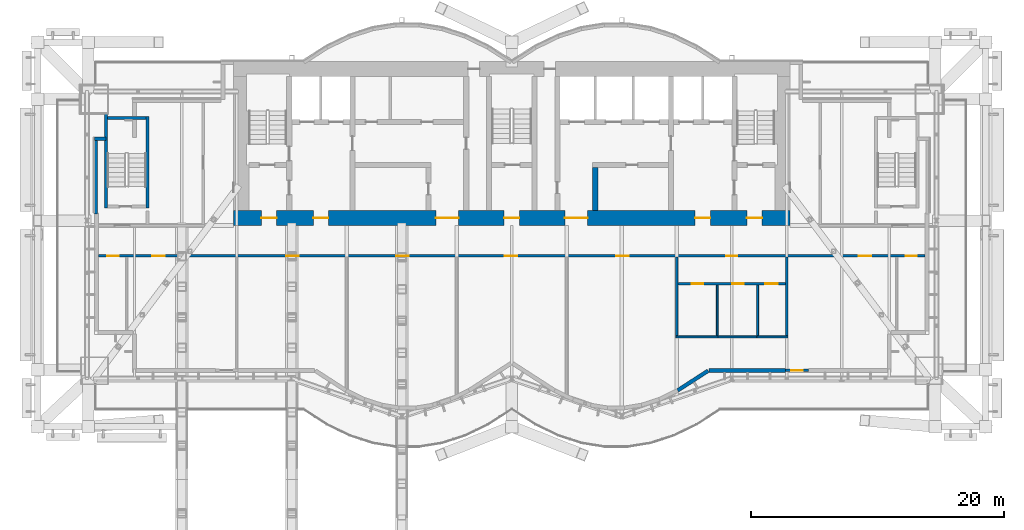
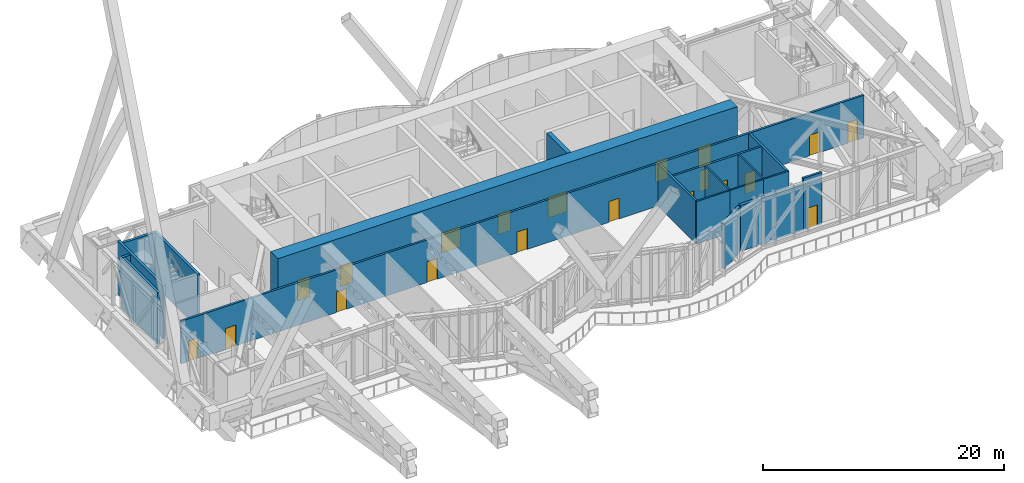
# One storey, part 24 of 30: 20 doors, 19 walls, 20 openings.
"""IFC4 building model written with IfcOpenShell, lengths in metres."""

from ifc_helpers import new_model, si_unit, direction, frame, frame_2d, origin, place, context, subcontext, project, spatial, rectangle, extrude, material, layer, layer_set, layer_usage, type_object, element, fill, save


model = new_model("IFC4")

# Units and contexts
model_context = context("Model", 3, precision=1e-05, world=origin(), true_north=direction((0.0, 1.0)))
body_context = subcontext(model_context, "Body", "Model", "MODEL_VIEW")
ifc_project = project(units=[si_unit("LENGTHUNIT", "METRE"), si_unit("AREAUNIT", "SQUARE_METRE"), si_unit("VOLUMEUNIT", "CUBIC_METRE"), si_unit("PLANEANGLEUNIT", "RADIAN"), si_unit("MASSUNIT", "GRAM", prefix="KILO")], contexts=[model_context])

# Site, building, storey
site_placement = place(None, origin())
site = spatial("IfcSite", under=ifc_project, at=site_placement, CompositionType="ELEMENT")
building_placement = place(site_placement, origin())
building = spatial("IfcBuilding", under=site, at=building_placement, Name="Bicima Exchange Tower", CompositionType="ELEMENT")
storey_placement = place(building_placement, frame((0.0, 0.0, 287.60009765625)))
storey = spatial("IfcBuildingStorey", under=building, at=storey_placement, Name="L65", CompositionType="ELEMENT", Elevation=287.60009765625)

# Wall, opening, door
ifc_material_1 = material(Name="Concrete C40/50", Category="concrete")
ifc_layer_1 = layer(ifc_material_1, 0.2)
ifc_layer_set_1 = layer_set([ifc_layer_1], Name="Concrete C40/50")
ifc_layer_usage_1 = layer_usage(ifc_layer_set_1, "AXIS2", "POSITIVE", -0.1)
wall_type_1 = type_object("IfcWallType", Name="Entrance frame wall 200", PredefinedType="STANDARD", material=ifc_layer_set_1)
wall_1_placement = place(storey_placement, frame((23.449951171875, -24.4541015625, 0.0), z_axis=(0.0, 0.0, 1.0), x_axis=(-1.0, 0.0, 0.0)))
wall_1 = element("IfcWall", 1, at=wall_1_placement, inside=storey, type_object=wall_type_1, material=ifc_layer_usage_1, Name="Band door frame wall L65", PredefinedType="STANDARD", context=body_context, shape_type="SweptSolid", body=[
    extrude(rectangle(XDim=1.800048828125, YDim=0.199951171875, at=frame_2d((0.89990234375, 0.0))), origin(), (0.0, 0.0, 1.0), 5.25),
])
opening_1_placement = place(wall_1_placement, frame((0.449951171875, 0.0, 0.0)))
opening_1 = element("IfcOpeningElement", 2, at=opening_1_placement, cuts=wall_1, Name="Opening DX5", PredefinedType="OPENING", context=body_context, shape_type="SweptSolid", body=[
    extrude(rectangle(XDim=0.89990234375, YDim=2.10009765625, at=frame_2d((0.449951171875, 1.050048828125))), frame((0.0, 0.11181640625, 0.0), z_axis=(0.0, -1.0, 0.0), x_axis=(1.0, 0.0, 0.0)), (0.0, 0.0, 1.0), 0.223876953125),
])
ifc_material_2 = material(Name="Anodised bronze aluminium and bonded safety glass", Category="aluminium")
door_type_1 = type_object("IfcDoorType", Name="Band terrace door, single leaf 900 x 2100", OperationType="SINGLE_SWING_LEFT", PredefinedType="DOOR", material=ifc_material_2)
door_1_placement = place(opening_1_placement, origin())
door_1 = element("IfcDoor", 3, at=door_1_placement, inside=storey, type_object=door_type_1, Name="Band door door L65", OperationType="SINGLE_SWING_LEFT", OverallHeight=2.10009765625, OverallWidth=0.89990234375, PredefinedType="DOOR", context=body_context, shape_type="SweptSolid", body=[
    extrude(rectangle(XDim=0.89990234375, YDim=2.10009765625, at=frame_2d((0.449951171875, 1.050048828125))), frame((0.0, 0.02490234375, 0.0), z_axis=(0.0, -1.0, 0.0), x_axis=(1.0, 0.0, 0.0)), (0.0, 0.0, 1.0), 0.050048828125),
])
fill(opening_1, door_1)

# Wall, openings, doors
ifc_material_3 = material(Name="Gypsum board partition")
ifc_layer_2 = layer(ifc_material_3, 0.199951171875)
ifc_layer_set_2 = layer_set([ifc_layer_2], Name="Gypsum board partition")
wall_type_2 = type_object("IfcWallType", Name="Fire-rated gypsum partition 200 EI60", PredefinedType="PARTITIONING", material=ifc_layer_set_2)
wall_2_placement = place(storey_placement, frame((13.14990234375, -17.60009765625, 0.0), z_axis=(0.0, 0.0, 1.0), x_axis=(1.0, 0.0, 0.0)))
wall_2 = element("IfcWall", 4, at=wall_2_placement, inside=storey, type_object=wall_type_2, Name="partition wall 4", PredefinedType="PARTITIONING", context=body_context, shape_type="SweptSolid", body=[
    extrude(rectangle(XDim=8.5, YDim=0.199951171875, at=frame_2d((4.25, 0.0))), origin(), (0.0, 0.0, 1.0), 4.318115234375),
])
opening_2_placement = place(wall_2_placement, frame((1.10009765625, 0.0, 0.0)))
opening_2 = element("IfcOpeningElement", 5, at=opening_2_placement, cuts=wall_2, Name="Opening L65-014", PredefinedType="OPENING", context=body_context, shape_type="SweptSolid", body=[
    extrude(rectangle(XDim=0.89990234375, YDim=2.10009765625, at=frame_2d((0.449951171875, 1.050048828125))), frame((0.0, 0.11181640625, 0.0), z_axis=(0.0, -1.0, 0.0), x_axis=(1.0, 0.0, 0.0)), (0.0, 0.0, 1.0), 0.223876953125),
])
opening_3_placement = place(wall_2_placement, frame((4.300048828125, 0.0, 0.0)))
opening_3 = element("IfcOpeningElement", 6, at=opening_3_placement, cuts=wall_2, Name="Opening L65-015", PredefinedType="OPENING", context=body_context, shape_type="SweptSolid", body=[
    extrude(rectangle(XDim=0.89990234375, YDim=2.10009765625, at=frame_2d((0.449951171875, 1.050048828125))), frame((0.0, 0.11181640625, 0.0), z_axis=(0.0, -1.0, 0.0), x_axis=(1.0, 0.0, 0.0)), (0.0, 0.0, 1.0), 0.223876953125),
])
opening_4_placement = place(wall_2_placement, frame((6.89990234375, 0.0, 0.0)))
opening_4 = element("IfcOpeningElement", 7, at=opening_4_placement, cuts=wall_2, Name="Opening L65-016", PredefinedType="OPENING", context=body_context, shape_type="SweptSolid", body=[
    extrude(rectangle(XDim=1.0, YDim=2.10009765625, at=frame_2d((0.5, 1.050048828125))), frame((0.0, 0.11181640625, 0.0), z_axis=(0.0, -1.0, 0.0), x_axis=(1.0, 0.0, 0.0)), (0.0, 0.0, 1.0), 0.223876953125),
])
ifc_material_4 = material(Name="Steel fire door leaf", Category="steel")
door_type_2 = type_object("IfcDoorType", Name="Door 1000 swing FD30S", OperationType="SINGLE_SWING_LEFT", PredefinedType="DOOR", material=ifc_material_4)
door_2_placement = place(opening_4_placement, frame((1.0, 0.0, 0.0), z_axis=(0.0, 0.0, 1.0), x_axis=(-1.0, 0.0, 0.0)))
door_2 = element("IfcDoor", 8, at=door_2_placement, inside=storey, type_object=door_type_2, Name="Door", OperationType="SINGLE_SWING_LEFT", OverallHeight=2.10009765625, OverallWidth=1.0, PredefinedType="DOOR", context=body_context, shape_type="SweptSolid", body=[
    extrude(rectangle(XDim=1.0, YDim=2.10009765625, at=frame_2d((0.5, 1.050048828125))), frame((0.0, 0.02490234375, 0.0), z_axis=(0.0, -1.0, 0.0), x_axis=(1.0, 0.0, 0.0)), (0.0, 0.0, 1.0), 0.050048828125),
])
fill(opening_4, door_2)
door_type_3 = type_object("IfcDoorType", Name="Door 900 swing FD30S", OperationType="SINGLE_SWING_LEFT", PredefinedType="DOOR", material=ifc_material_4)
door_3_placement = place(opening_2_placement, frame((0.89990234375, 0.0, 0.0), z_axis=(0.0, 0.0, 1.0), x_axis=(-1.0, 0.0, 0.0)))
door_3 = element("IfcDoor", 9, at=door_3_placement, inside=storey, type_object=door_type_3, Name="Door", OperationType="SINGLE_SWING_RIGHT", OverallHeight=2.10009765625, OverallWidth=0.89990234375, PredefinedType="DOOR", context=body_context, shape_type="SweptSolid", body=[
    extrude(rectangle(XDim=0.89990234375, YDim=2.10009765625, at=frame_2d((0.449951171875, 1.050048828125))), frame((0.0, 0.02490234375, 0.0), z_axis=(0.0, -1.0, 0.0), x_axis=(1.0, 0.0, 0.0)), (0.0, 0.0, 1.0), 0.050048828125),
])
fill(opening_2, door_3)
door_4_placement = place(opening_3_placement, frame((0.89990234375, 0.0, 0.0), z_axis=(0.0, 0.0, 1.0), x_axis=(-1.0, 0.0, 0.0)))
door_4 = element("IfcDoor", 10, at=door_4_placement, inside=storey, type_object=door_type_3, Name="Door", OperationType="SINGLE_SWING_RIGHT", OverallHeight=2.10009765625, OverallWidth=0.89990234375, PredefinedType="DOOR", context=body_context, shape_type="SweptSolid", body=[
    extrude(rectangle(XDim=0.89990234375, YDim=2.10009765625, at=frame_2d((0.449951171875, 1.050048828125))), frame((0.0, 0.02490234375, 0.0), z_axis=(0.0, -1.0, 0.0), x_axis=(1.0, 0.0, 0.0)), (0.0, 0.0, 1.0), 0.050048828125),
])
fill(opening_3, door_4)

wall_3_placement = place(storey_placement, frame((-32.699951171875, -15.39990234375, 0.0), z_axis=(0.0, 0.0, 1.0), x_axis=(1.0, 0.0, 0.0)))
wall_3 = element("IfcWall", 11, at=wall_3_placement, inside=storey, type_object=wall_type_2, Name="partition wall 5", PredefinedType="PARTITIONING", context=body_context, shape_type="SweptSolid", body=[
    extrude(rectangle(XDim=65.39990234375, YDim=0.199951171875, at=frame_2d((32.699951171875, 0.0))), origin(), (0.0, 0.0, 1.0), 4.318115234375),
])
opening_5_placement = place(wall_3_placement, frame((0.699951171875, 0.0, 0.0)))
opening_5 = element("IfcOpeningElement", 12, at=opening_5_placement, cuts=wall_3, Name="Opening L65-007", PredefinedType="OPENING", context=body_context, shape_type="SweptSolid", body=[
    extrude(rectangle(XDim=0.89990234375, YDim=2.10009765625, at=frame_2d((0.449951171875, 1.050048828125))), frame((0.0, 0.11181640625, 0.0), z_axis=(0.0, -1.0, 0.0), x_axis=(1.0, 0.0, 0.0)), (0.0, 0.0, 1.0), 0.223876953125),
])
opening_6_placement = place(wall_3_placement, frame((4.25, 0.0, 0.0)))
opening_6 = element("IfcOpeningElement", 13, at=opening_6_placement, cuts=wall_3, Name="Opening L65-008", PredefinedType="OPENING", context=body_context, shape_type="SweptSolid", body=[
    extrude(rectangle(XDim=1.0, YDim=2.10009765625, at=frame_2d((0.5, 1.050048828125))), frame((0.0, 0.11181640625, 0.0), z_axis=(0.0, -1.0, 0.0), x_axis=(1.0, 0.0, 0.0)), (0.0, 0.0, 1.0), 0.223876953125),
])
opening_7_placement = place(wall_3_placement, frame((14.85009765625, 0.0, 0.0)))
opening_7 = element("IfcOpeningElement", 14, at=opening_7_placement, cuts=wall_3, Name="Opening L65-009", PredefinedType="OPENING", context=body_context, shape_type="SweptSolid", body=[
    extrude(rectangle(XDim=1.0, YDim=2.10009765625, at=frame_2d((0.5, 1.050048828125))), frame((0.0, 0.11181640625, 0.0), z_axis=(0.0, -1.0, 0.0), x_axis=(1.0, 0.0, 0.0)), (0.0, 0.0, 1.0), 0.223876953125),
])
opening_8_placement = place(wall_3_placement, frame((23.550048828125, 0.0, 0.0)))
opening_8 = element("IfcOpeningElement", 15, at=opening_8_placement, cuts=wall_3, Name="Opening L65-010", PredefinedType="OPENING", context=body_context, shape_type="SweptSolid", body=[
    extrude(rectangle(XDim=1.0, YDim=2.10009765625, at=frame_2d((0.5, 1.050048828125))), frame((0.0, 0.11181640625, 0.0), z_axis=(0.0, -1.0, 0.0), x_axis=(1.0, 0.0, 0.0)), (0.0, 0.0, 1.0), 0.223876953125),
])
opening_9_placement = place(wall_3_placement, frame((32.14990234375, 0.0, 0.0)))
opening_9 = element("IfcOpeningElement", 16, at=opening_9_placement, cuts=wall_3, Name="Opening L65-011", PredefinedType="OPENING", context=body_context, shape_type="SweptSolid", body=[
    extrude(rectangle(XDim=1.0, YDim=2.10009765625, at=frame_2d((0.5, 1.050048828125))), frame((0.0, 0.11181640625, 0.0), z_axis=(0.0, -1.0, 0.0), x_axis=(1.0, 0.0, 0.0)), (0.0, 0.0, 1.0), 0.223876953125),
])
opening_10_placement = place(wall_3_placement, frame((40.949951171875, 0.0, 0.0)))
opening_10 = element("IfcOpeningElement", 17, at=opening_10_placement, cuts=wall_3, Name="Opening L65-012", PredefinedType="OPENING", context=body_context, shape_type="SweptSolid", body=[
    extrude(rectangle(XDim=1.0, YDim=2.10009765625, at=frame_2d((0.5, 1.050048828125))), frame((0.0, 0.11181640625, 0.0), z_axis=(0.0, -1.0, 0.0), x_axis=(1.0, 0.0, 0.0)), (0.0, 0.0, 1.0), 0.223876953125),
])
opening_11_placement = place(wall_3_placement, frame((49.64990234375, 0.0, 0.0)))
opening_11 = element("IfcOpeningElement", 18, at=opening_11_placement, cuts=wall_3, Name="Opening L65-013", PredefinedType="OPENING", context=body_context, shape_type="SweptSolid", body=[
    extrude(rectangle(XDim=0.89990234375, YDim=2.10009765625, at=frame_2d((0.449951171875, 1.050048828125))), frame((0.0, 0.11181640625, 0.0), z_axis=(0.0, -1.0, 0.0), x_axis=(1.0, 0.0, 0.0)), (0.0, 0.0, 1.0), 0.223876953125),
])
opening_12_placement = place(wall_3_placement, frame((60.14990234375, 0.0, 0.0)))
opening_12 = element("IfcOpeningElement", 19, at=opening_12_placement, cuts=wall_3, Name="Opening L65-017", PredefinedType="OPENING", context=body_context, shape_type="SweptSolid", body=[
    extrude(rectangle(XDim=1.0, YDim=2.10009765625, at=frame_2d((0.5, 1.050048828125))), frame((0.0, 0.11181640625, 0.0), z_axis=(0.0, -1.0, 0.0), x_axis=(1.0, 0.0, 0.0)), (0.0, 0.0, 1.0), 0.223876953125),
])
opening_13_placement = place(wall_3_placement, frame((63.85009765625, 0.0, 0.0)))
opening_13 = element("IfcOpeningElement", 20, at=opening_13_placement, cuts=wall_3, Name="Opening L65-018", PredefinedType="OPENING", context=body_context, shape_type="SweptSolid", body=[
    extrude(rectangle(XDim=0.89990234375, YDim=2.10009765625, at=frame_2d((0.449951171875, 1.050048828125))), frame((0.0, 0.11181640625, 0.0), z_axis=(0.0, -1.0, 0.0), x_axis=(1.0, 0.0, 0.0)), (0.0, 0.0, 1.0), 0.223876953125),
])
door_5_placement = place(opening_6_placement, frame((1.0, 0.0, 0.0), z_axis=(0.0, 0.0, 1.0), x_axis=(-1.0, 0.0, 0.0)))
door_5 = element("IfcDoor", 21, at=door_5_placement, inside=storey, type_object=door_type_2, Name="Door", OperationType="SINGLE_SWING_RIGHT", OverallHeight=2.10009765625, OverallWidth=1.0, PredefinedType="DOOR", context=body_context, shape_type="SweptSolid", body=[
    extrude(rectangle(XDim=1.0, YDim=2.10009765625, at=frame_2d((0.5, 1.050048828125))), frame((0.0, 0.02490234375, 0.0), z_axis=(0.0, -1.0, 0.0), x_axis=(1.0, 0.0, 0.0)), (0.0, 0.0, 1.0), 0.050048828125),
])
fill(opening_6, door_5)
door_6_placement = place(opening_7_placement, frame((1.0, 0.0, 0.0), z_axis=(0.0, 0.0, 1.0), x_axis=(-1.0, 0.0, 0.0)))
door_6 = element("IfcDoor", 22, at=door_6_placement, inside=storey, type_object=door_type_2, Name="Door", OperationType="SINGLE_SWING_RIGHT", OverallHeight=2.10009765625, OverallWidth=1.0, PredefinedType="DOOR", context=body_context, shape_type="SweptSolid", body=[
    extrude(rectangle(XDim=1.0, YDim=2.10009765625, at=frame_2d((0.5, 1.050048828125))), frame((0.0, 0.02490234375, 0.0), z_axis=(0.0, -1.0, 0.0), x_axis=(1.0, 0.0, 0.0)), (0.0, 0.0, 1.0), 0.050048828125),
])
fill(opening_7, door_6)
door_7_placement = place(opening_8_placement, frame((1.0, 0.0, 0.0), z_axis=(0.0, 0.0, 1.0), x_axis=(-1.0, 0.0, 0.0)))
door_7 = element("IfcDoor", 23, at=door_7_placement, inside=storey, type_object=door_type_2, Name="Door", OperationType="SINGLE_SWING_LEFT", OverallHeight=2.10009765625, OverallWidth=1.0, PredefinedType="DOOR", context=body_context, shape_type="SweptSolid", body=[
    extrude(rectangle(XDim=1.0, YDim=2.10009765625, at=frame_2d((0.5, 1.050048828125))), frame((0.0, 0.02490234375, 0.0), z_axis=(0.0, -1.0, 0.0), x_axis=(1.0, 0.0, 0.0)), (0.0, 0.0, 1.0), 0.050048828125),
])
fill(opening_8, door_7)
door_8_placement = place(opening_9_placement, frame((1.0, 0.0, 0.0), z_axis=(0.0, 0.0, 1.0), x_axis=(-1.0, 0.0, 0.0)))
door_8 = element("IfcDoor", 24, at=door_8_placement, inside=storey, type_object=door_type_2, Name="Door", OperationType="SINGLE_SWING_RIGHT", OverallHeight=2.10009765625, OverallWidth=1.0, PredefinedType="DOOR", context=body_context, shape_type="SweptSolid", body=[
    extrude(rectangle(XDim=1.0, YDim=2.10009765625, at=frame_2d((0.5, 1.050048828125))), frame((0.0, 0.02490234375, 0.0), z_axis=(0.0, -1.0, 0.0), x_axis=(1.0, 0.0, 0.0)), (0.0, 0.0, 1.0), 0.050048828125),
])
fill(opening_9, door_8)
door_9_placement = place(opening_10_placement, frame((1.0, 0.0, 0.0), z_axis=(0.0, 0.0, 1.0), x_axis=(-1.0, 0.0, 0.0)))
door_9 = element("IfcDoor", 25, at=door_9_placement, inside=storey, type_object=door_type_2, Name="Door", OperationType="SINGLE_SWING_RIGHT", OverallHeight=2.10009765625, OverallWidth=1.0, PredefinedType="DOOR", context=body_context, shape_type="SweptSolid", body=[
    extrude(rectangle(XDim=1.0, YDim=2.10009765625, at=frame_2d((0.5, 1.050048828125))), frame((0.0, 0.02490234375, 0.0), z_axis=(0.0, -1.0, 0.0), x_axis=(1.0, 0.0, 0.0)), (0.0, 0.0, 1.0), 0.050048828125),
])
fill(opening_10, door_9)
door_10_placement = place(opening_12_placement, frame((1.0, 0.0, 0.0), z_axis=(0.0, 0.0, 1.0), x_axis=(-1.0, 0.0, 0.0)))
door_10 = element("IfcDoor", 26, at=door_10_placement, inside=storey, type_object=door_type_2, Name="Door", OperationType="SINGLE_SWING_RIGHT", OverallHeight=2.10009765625, OverallWidth=1.0, PredefinedType="DOOR", context=body_context, shape_type="SweptSolid", body=[
    extrude(rectangle(XDim=1.0, YDim=2.10009765625, at=frame_2d((0.5, 1.050048828125))), frame((0.0, 0.02490234375, 0.0), z_axis=(0.0, -1.0, 0.0), x_axis=(1.0, 0.0, 0.0)), (0.0, 0.0, 1.0), 0.050048828125),
])
fill(opening_12, door_10)
door_11_placement = place(opening_5_placement, frame((0.89990234375, 0.0, 0.0), z_axis=(0.0, 0.0, 1.0), x_axis=(-1.0, 0.0, 0.0)))
door_11 = element("IfcDoor", 27, at=door_11_placement, inside=storey, type_object=door_type_3, Name="Door", OperationType="SINGLE_SWING_LEFT", OverallHeight=2.10009765625, OverallWidth=0.89990234375, PredefinedType="DOOR", context=body_context, shape_type="SweptSolid", body=[
    extrude(rectangle(XDim=0.89990234375, YDim=2.10009765625, at=frame_2d((0.449951171875, 1.050048828125))), frame((0.0, 0.02490234375, 0.0), z_axis=(0.0, -1.0, 0.0), x_axis=(1.0, 0.0, 0.0)), (0.0, 0.0, 1.0), 0.050048828125),
])
fill(opening_5, door_11)
door_12_placement = place(opening_11_placement, frame((0.89990234375, 0.0, 0.0), z_axis=(0.0, 0.0, 1.0), x_axis=(-1.0, 0.0, 0.0)))
door_12 = element("IfcDoor", 28, at=door_12_placement, inside=storey, type_object=door_type_3, Name="Door", OperationType="SINGLE_SWING_LEFT", OverallHeight=2.10009765625, OverallWidth=0.89990234375, PredefinedType="DOOR", context=body_context, shape_type="SweptSolid", body=[
    extrude(rectangle(XDim=0.89990234375, YDim=2.10009765625, at=frame_2d((0.449951171875, 1.050048828125))), frame((0.0, 0.02490234375, 0.0), z_axis=(0.0, -1.0, 0.0), x_axis=(1.0, 0.0, 0.0)), (0.0, 0.0, 1.0), 0.050048828125),
])
fill(opening_11, door_12)
door_13_placement = place(opening_13_placement, frame((0.89990234375, 0.0, 0.0), z_axis=(0.0, 0.0, 1.0), x_axis=(-1.0, 0.0, 0.0)))
door_13 = element("IfcDoor", 29, at=door_13_placement, inside=storey, type_object=door_type_3, Name="Door", OperationType="SINGLE_SWING_RIGHT", OverallHeight=2.10009765625, OverallWidth=0.89990234375, PredefinedType="DOOR", context=body_context, shape_type="SweptSolid", body=[
    extrude(rectangle(XDim=0.89990234375, YDim=2.10009765625, at=frame_2d((0.449951171875, 1.050048828125))), frame((0.0, 0.02490234375, 0.0), z_axis=(0.0, -1.0, 0.0), x_axis=(1.0, 0.0, 0.0)), (0.0, 0.0, 1.0), 0.050048828125),
])
fill(opening_13, door_13)

# Walls
for number, where, z_axis, x_axis, name in (
    (30, (13.050048828125, -21.72509765625, 0.0), (0.0, 0.0, 1.0), (0.0, 1.0, 0.0), "partition wall 20"),
    (31, (21.75, -21.72509765625, 0.0), (0.0, 0.0, 1.0), (0.0, 1.0, 0.0), "partition wall 23"),
):
    element("IfcWall", number, at=place(storey_placement, frame(where, z_axis=z_axis, x_axis=x_axis)), inside=storey, type_object=wall_type_2, Name=name, PredefinedType="PARTITIONING", context=body_context, shape_type="SweptSolid", body=[
        extrude(rectangle(XDim=6.22509765625, YDim=0.199951171875, at=frame_2d((3.112548828125, 0.0))), origin(), (0.0, 0.0, 1.0), 4.318115234375),
    ])
ifc_layer_3 = layer(ifc_material_3, 0.14990234375)
ifc_layer_set_3 = layer_set([ifc_layer_3], Name="Gypsum board partition")
wall_type_3 = type_object("IfcWallType", Name="Gypsum partition 150", PredefinedType="PARTITIONING", material=ifc_layer_set_3)
wall_4_placement = place(storey_placement, frame((12.969970703125, -21.800048828125, 0.0), z_axis=(0.0, 0.0, 1.0), x_axis=(1.0, 0.0, 0.0)))
element("IfcWall", 32, at=wall_4_placement, inside=storey, type_object=wall_type_3, Name="partition wall 1", PredefinedType="PARTITIONING", context=body_context, shape_type="SweptSolid", body=[
    extrude(rectangle(XDim=3.3349609375, YDim=0.14990234375, at=frame_2d((1.66748046875, 0.0))), origin(), (0.0, 0.0, 1.0), 4.318115234375),
])
wall_5_placement = place(storey_placement, frame((16.195068359375, -21.800048828125, 0.0), z_axis=(0.0, 0.0, 1.0), x_axis=(1.0, 0.0, 0.0)))
element("IfcWall", 33, at=wall_5_placement, inside=storey, type_object=wall_type_3, Name="partition wall 2", PredefinedType="PARTITIONING", context=body_context, shape_type="SweptSolid", body=[
    extrude(rectangle(XDim=3.309814453125, YDim=0.14990234375, at=frame_2d((1.65478515625, 0.0))), origin(), (0.0, 0.0, 1.0), 4.318115234375),
])
wall_6_placement = place(storey_placement, frame((19.39501953125, -21.800048828125, 0.0), z_axis=(0.0, 0.0, 1.0), x_axis=(1.0, 0.0, 0.0)))
element("IfcWall", 34, at=wall_6_placement, inside=storey, type_object=wall_type_3, Name="partition wall 3", PredefinedType="PARTITIONING", context=body_context, shape_type="SweptSolid", body=[
    extrude(rectangle(XDim=2.43505859375, YDim=0.14990234375, at=frame_2d((1.217529296875, 0.0))), origin(), (0.0, 0.0, 1.0), 4.318115234375),
])
for number, where, z_axis, x_axis, name in (
    (35, (16.25, -21.72509765625, 0.0), (0.0, 0.0, 1.0), (0.0, 1.0, 0.0), "partition wall 21"),
    (36, (19.449951171875, -21.72509765625, 0.0), (0.0, 0.0, 1.0), (0.0, 1.0, 0.0), "partition wall 22"),
):
    element("IfcWall", number, at=place(storey_placement, frame(where, z_axis=z_axis, x_axis=x_axis)), inside=storey, type_object=wall_type_3, Name=name, PredefinedType="PARTITIONING", context=body_context, shape_type="SweptSolid", body=[
        extrude(rectangle(XDim=4.025146484375, YDim=0.14990234375, at=frame_2d((2.0126953125, 0.0))), origin(), (0.0, 0.0, 1.0), 4.318115234375),
    ])

# Wall, openings, doors
ifc_layer_4 = layer(ifc_material_1, 1.199951171875)
ifc_layer_set_4 = layer_set([ifc_layer_4], Name="Concrete C40/50")
wall_type_4 = type_object("IfcWallType", Name="RC core wall 1200 C40/50", PredefinedType="SHEAR", material=ifc_layer_set_4)
wall_7_placement = place(storey_placement, frame((-22.0, -12.39990234375, 0.0), z_axis=(0.0, 0.0, 1.0), x_axis=(1.0, 0.0, 0.0)))
wall_7 = element("IfcWall", 37, at=wall_7_placement, inside=storey, type_object=wall_type_4, Name="Core wall south", PredefinedType="SHEAR", context=body_context, shape_type="SweptSolid", body=[
    extrude(rectangle(XDim=44.0, YDim=1.199951171875, at=frame_2d((22.0, 0.0))), origin(), (0.0, 0.0, 1.0), 5.39990234375),
])
opening_14_placement = place(wall_7_placement, frame((2.199951171875, 0.0, 0.0)))
opening_14 = element("IfcOpeningElement", 38, at=opening_14_placement, cuts=wall_7, Name="Opening L65-C18", PredefinedType="OPENING", context=body_context, shape_type="SweptSolid", body=[
    extrude(rectangle(XDim=1.199951171875, YDim=2.10009765625, at=frame_2d((0.60009765625, 1.050048828125))), frame((0.0, 0.61181640625, 0.0), z_axis=(0.0, -1.0, 0.0), x_axis=(1.0, 0.0, 0.0)), (0.0, 0.0, 1.0), 1.223876953125),
])
opening_15_placement = place(wall_7_placement, frame((21.39990234375, 0.0, 0.0)))
opening_15 = element("IfcOpeningElement", 39, at=opening_15_placement, cuts=wall_7, Name="Opening L65-C19", PredefinedType="OPENING", context=body_context, shape_type="SweptSolid", body=[
    extrude(rectangle(XDim=1.199951171875, YDim=2.10009765625, at=frame_2d((0.60009765625, 1.050048828125))), frame((0.0, 0.61181640625, 0.0), z_axis=(0.0, -1.0, 0.0), x_axis=(1.0, 0.0, 0.0)), (0.0, 0.0, 1.0), 1.223876953125),
])
opening_16_placement = place(wall_7_placement, frame((40.60009765625, 0.0, 0.0)))
opening_16 = element("IfcOpeningElement", 40, at=opening_16_placement, cuts=wall_7, Name="Opening L65-C20", PredefinedType="OPENING", context=body_context, shape_type="SweptSolid", body=[
    extrude(rectangle(XDim=1.199951171875, YDim=2.10009765625, at=frame_2d((0.60009765625, 1.050048828125))), frame((0.0, 0.61181640625, 0.0), z_axis=(0.0, -1.0, 0.0), x_axis=(1.0, 0.0, 0.0)), (0.0, 0.0, 1.0), 1.223876953125),
])
opening_17_placement = place(wall_7_placement, frame((16.0, 0.0, 0.0)))
opening_17 = element("IfcOpeningElement", 41, at=opening_17_placement, cuts=wall_7, Name="Opening L65-C21", PredefinedType="OPENING", context=body_context, shape_type="SweptSolid", body=[
    extrude(rectangle(XDim=1.800048828125, YDim=2.10009765625, at=frame_2d((0.89990234375, 1.050048828125))), frame((0.0, 0.61181640625, 0.0), z_axis=(0.0, -1.0, 0.0), x_axis=(1.0, 0.0, 0.0)), (0.0, 0.0, 1.0), 1.223876953125),
])
opening_18_placement = place(wall_7_placement, frame((6.300048828125, 0.0, 0.0)))
opening_18 = element("IfcOpeningElement", 42, at=opening_18_placement, cuts=wall_7, Name="Opening L65-C22", PredefinedType="OPENING", context=body_context, shape_type="SweptSolid", body=[
    extrude(rectangle(XDim=1.199951171875, YDim=2.10009765625, at=frame_2d((0.60009765625, 1.050048828125))), frame((0.0, 0.61181640625, 0.0), z_axis=(0.0, -1.0, 0.0), x_axis=(1.0, 0.0, 0.0)), (0.0, 0.0, 1.0), 1.223876953125),
])
opening_19_placement = place(wall_7_placement, frame((26.199951171875, 0.0, 0.0)))
opening_19 = element("IfcOpeningElement", 43, at=opening_19_placement, cuts=wall_7, Name="Opening L65-C23", PredefinedType="OPENING", context=body_context, shape_type="SweptSolid", body=[
    extrude(rectangle(XDim=1.800048828125, YDim=2.10009765625, at=frame_2d((0.89990234375, 1.050048828125))), frame((0.0, 0.61181640625, 0.0), z_axis=(0.0, -1.0, 0.0), x_axis=(1.0, 0.0, 0.0)), (0.0, 0.0, 1.0), 1.223876953125),
])
opening_20_placement = place(wall_7_placement, frame((36.5, 0.0, 0.0)))
opening_20 = element("IfcOpeningElement", 44, at=opening_20_placement, cuts=wall_7, Name="Opening L65-C24", PredefinedType="OPENING", context=body_context, shape_type="SweptSolid", body=[
    extrude(rectangle(XDim=1.199951171875, YDim=2.10009765625, at=frame_2d((0.60009765625, 1.050048828125))), frame((0.0, 0.61181640625, 0.0), z_axis=(0.0, -1.0, 0.0), x_axis=(1.0, 0.0, 0.0)), (0.0, 0.0, 1.0), 1.223876953125),
])
door_type_4 = type_object("IfcDoorType", Name="Door 1200 swing FD60S", OperationType="SINGLE_SWING_LEFT", PredefinedType="DOOR", material=ifc_material_4)
door_14_placement = place(opening_14_placement, frame((1.199951171875, 0.0, 0.0), z_axis=(0.0, 0.0, 1.0), x_axis=(-1.0, 0.0, 0.0)))
door_14 = element("IfcDoor", 45, at=door_14_placement, inside=storey, type_object=door_type_4, Name="Core door", OperationType="SINGLE_SWING_RIGHT", OverallHeight=2.10009765625, OverallWidth=1.199951171875, PredefinedType="DOOR", context=body_context, shape_type="SweptSolid", body=[
    extrude(rectangle(XDim=1.199951171875, YDim=2.10009765625, at=frame_2d((0.60009765625, 1.050048828125))), frame((0.0, 0.02490234375, 0.0), z_axis=(0.0, -1.0, 0.0), x_axis=(1.0, 0.0, 0.0)), (0.0, 0.0, 1.0), 0.050048828125),
])
fill(opening_14, door_14)
door_15_placement = place(opening_15_placement, frame((1.199951171875, 0.0, 0.0), z_axis=(0.0, 0.0, 1.0), x_axis=(-1.0, 0.0, 0.0)))
door_15 = element("IfcDoor", 46, at=door_15_placement, inside=storey, type_object=door_type_4, Name="Core door", OperationType="SINGLE_SWING_RIGHT", OverallHeight=2.10009765625, OverallWidth=1.199951171875, PredefinedType="DOOR", context=body_context, shape_type="SweptSolid", body=[
    extrude(rectangle(XDim=1.199951171875, YDim=2.10009765625, at=frame_2d((0.60009765625, 1.050048828125))), frame((0.0, 0.02490234375, 0.0), z_axis=(0.0, -1.0, 0.0), x_axis=(1.0, 0.0, 0.0)), (0.0, 0.0, 1.0), 0.050048828125),
])
fill(opening_15, door_15)
door_16_placement = place(opening_16_placement, frame((1.199951171875, 0.0, 0.0), z_axis=(0.0, 0.0, 1.0), x_axis=(-1.0, 0.0, 0.0)))
door_16 = element("IfcDoor", 47, at=door_16_placement, inside=storey, type_object=door_type_4, Name="Core door", OperationType="SINGLE_SWING_RIGHT", OverallHeight=2.10009765625, OverallWidth=1.199951171875, PredefinedType="DOOR", context=body_context, shape_type="SweptSolid", body=[
    extrude(rectangle(XDim=1.199951171875, YDim=2.10009765625, at=frame_2d((0.60009765625, 1.050048828125))), frame((0.0, 0.02490234375, 0.0), z_axis=(0.0, -1.0, 0.0), x_axis=(1.0, 0.0, 0.0)), (0.0, 0.0, 1.0), 0.050048828125),
])
fill(opening_16, door_16)
door_17_placement = place(opening_18_placement, frame((1.199951171875, 0.0, 0.0), z_axis=(0.0, 0.0, 1.0), x_axis=(-1.0, 0.0, 0.0)))
door_17 = element("IfcDoor", 48, at=door_17_placement, inside=storey, type_object=door_type_4, Name="Core door", OperationType="SINGLE_SWING_RIGHT", OverallHeight=2.10009765625, OverallWidth=1.199951171875, PredefinedType="DOOR", context=body_context, shape_type="SweptSolid", body=[
    extrude(rectangle(XDim=1.199951171875, YDim=2.10009765625, at=frame_2d((0.60009765625, 1.050048828125))), frame((0.0, 0.02490234375, 0.0), z_axis=(0.0, -1.0, 0.0), x_axis=(1.0, 0.0, 0.0)), (0.0, 0.0, 1.0), 0.050048828125),
])
fill(opening_18, door_17)
door_18_placement = place(opening_20_placement, frame((1.199951171875, 0.0, 0.0), z_axis=(0.0, 0.0, 1.0), x_axis=(-1.0, 0.0, 0.0)))
door_18 = element("IfcDoor", 49, at=door_18_placement, inside=storey, type_object=door_type_4, Name="Core door", OperationType="SINGLE_SWING_RIGHT", OverallHeight=2.10009765625, OverallWidth=1.199951171875, PredefinedType="DOOR", context=body_context, shape_type="SweptSolid", body=[
    extrude(rectangle(XDim=1.199951171875, YDim=2.10009765625, at=frame_2d((0.60009765625, 1.050048828125))), frame((0.0, 0.02490234375, 0.0), z_axis=(0.0, -1.0, 0.0), x_axis=(1.0, 0.0, 0.0)), (0.0, 0.0, 1.0), 0.050048828125),
])
fill(opening_20, door_18)
door_type_5 = type_object("IfcDoorType", Name="Door 1800 double swing FD30S", OperationType="DOUBLE_DOOR_SINGLE_SWING", PredefinedType="DOOR", material=ifc_material_4)
door_19_placement = place(opening_17_placement, origin())
door_19 = element("IfcDoor", 50, at=door_19_placement, inside=storey, type_object=door_type_5, Name="Core door", OperationType="SINGLE_SWING_LEFT", OverallHeight=2.10009765625, OverallWidth=1.800048828125, PredefinedType="DOOR", context=body_context, shape_type="SweptSolid", body=[
    extrude(rectangle(XDim=1.800048828125, YDim=2.10009765625, at=frame_2d((0.89990234375, 1.050048828125))), frame((0.0, 0.02490234375, 0.0), z_axis=(0.0, -1.0, 0.0), x_axis=(1.0, 0.0, 0.0)), (0.0, 0.0, 1.0), 0.050048828125),
])
fill(opening_17, door_19)
door_20_placement = place(opening_19_placement, origin())
door_20 = element("IfcDoor", 51, at=door_20_placement, inside=storey, type_object=door_type_5, Name="Core door", OperationType="SINGLE_SWING_LEFT", OverallHeight=2.10009765625, OverallWidth=1.800048828125, PredefinedType="DOOR", context=body_context, shape_type="SweptSolid", body=[
    extrude(rectangle(XDim=1.800048828125, YDim=2.10009765625, at=frame_2d((0.89990234375, 1.050048828125))), frame((0.0, 0.02490234375, 0.0), z_axis=(0.0, -1.0, 0.0), x_axis=(1.0, 0.0, 0.0)), (0.0, 0.0, 1.0), 0.050048828125),
])
fill(opening_19, door_20)

# Walls
ifc_layer_5 = layer(ifc_material_1, 0.39990234375)
ifc_layer_set_5 = layer_set([ifc_layer_5], Name="Concrete C40/50")
wall_type_5 = type_object("IfcWallType", Name="RC core wall 400 C40/50", PredefinedType="SHEAR", material=ifc_layer_set_5)
wall_8_placement = place(storey_placement, frame((6.60009765625, -11.800048828125, 0.0), z_axis=(0.0, 0.0, 1.0), x_axis=(0.0, 1.0, 0.0)))
element("IfcWall", 52, at=wall_8_placement, inside=storey, type_object=wall_type_5, Name="shear wall 17", PredefinedType="SHEAR", context=body_context, shape_type="SweptSolid", body=[
    extrude(rectangle(XDim=3.400146484375, YDim=0.39990234375, at=frame_2d((1.7001953125, 0.0))), origin(), (0.0, 0.0, 1.0), 5.39990234375),
])
ifc_material_5 = material(Name="Concrete C50/60", Category="concrete")
ifc_layer_6 = layer(ifc_material_5, 0.25)
ifc_layer_set_6 = layer_set([ifc_layer_6], Name="Concrete C50/60")
wall_type_6 = type_object("IfcWallType", Name="RC stair enclosure wall 250 C50/60", PredefinedType="SHEAR", material=ifc_layer_set_6)
wall_9_placement = place(storey_placement, frame((-32.10009765625, -11.625, 0.0), z_axis=(0.0, 0.0, 1.0), x_axis=(0.0, 1.0, 0.0)))
element("IfcWall", 53, at=wall_9_placement, inside=storey, type_object=wall_type_6, Name="West end exit stair wall W", PredefinedType="SHEAR", context=body_context, shape_type="SweptSolid", body=[
    extrude(rectangle(XDim=7.52490234375, YDim=0.25, at=frame_2d((3.762451171875, 0.0))), origin(), (0.0, 0.0, 1.0), 5.39990234375),
])
wall_10_placement = place(storey_placement, frame((-28.800048828125, -11.625, 0.0), z_axis=(0.0, 0.0, 1.0), x_axis=(0.0, 1.0, 0.0)))
element("IfcWall", 54, at=wall_10_placement, inside=storey, type_object=wall_type_6, Name="West end exit stair wall E", PredefinedType="SHEAR", context=body_context, shape_type="SweptSolid", body=[
    extrude(rectangle(XDim=7.25, YDim=0.25, at=frame_2d((3.625, 0.0))), origin(), (0.0, 0.0, 1.0), 5.39990234375),
])
wall_11_placement = place(storey_placement, frame((-31.97509765625, -4.5, 0.0), z_axis=(0.0, 0.0, 1.0), x_axis=(1.0, 0.0, 0.0)))
element("IfcWall", 55, at=wall_11_placement, inside=storey, type_object=wall_type_6, Name="West end exit stair wall N", PredefinedType="SHEAR", context=body_context, shape_type="SweptSolid", body=[
    extrude(rectangle(XDim=3.050048828125, YDim=0.25, at=frame_2d((1.52490234375, 0.0))), origin(), (0.0, 0.0, 1.0), 5.39990234375),
])
ifc_layer_7 = layer(ifc_material_1, 0.25)
ifc_layer_set_7 = layer_set([ifc_layer_7], Name="Concrete C40/50")
ifc_layer_usage_2 = layer_usage(ifc_layer_set_7, "AXIS2", "POSITIVE", -0.125)
wall_type_7 = type_object("IfcWallType", Name="Rear backup wall 250", PredefinedType="STANDARD", material=ifc_layer_set_7)
wall_12_placement = place(storey_placement, frame((-32.110107421875, -6.125, 0.0), z_axis=(0.0, 0.0, 1.0), x_axis=(-1.0, 0.0, 0.0)))
element("IfcWall", 56, at=wall_12_placement, inside=storey, type_object=wall_type_7, material=ifc_layer_usage_2, Name="Rear backup wall L65 30", PredefinedType="STANDARD", context=body_context, shape_type="SweptSolid", body=[
    extrude(rectangle(XDim=0.889892578125, YDim=0.25, at=frame_2d((0.44482421875, 0.0))), origin(), (0.0, 0.0, 1.0), 5.25),
])
wall_13_placement = place(storey_placement, frame((-32.875, -6.0, 0.0), z_axis=(0.0, 0.0, 1.0), x_axis=(0.0, -1.0, 0.0)))
element("IfcWall", 57, at=wall_13_placement, inside=storey, type_object=wall_type_7, material=ifc_layer_usage_2, Name="Rear backup wall L65 31", PredefinedType="STANDARD", context=body_context, shape_type="SweptSolid", body=[
    extrude(rectangle(XDim=6.090087890625, YDim=0.25, at=frame_2d((3.044921875, 0.0))), origin(), (0.0, 0.0, 1.0), 5.25),
])
ifc_layer_8 = layer(ifc_material_1, 0.3)
ifc_layer_set_8 = layer_set([ifc_layer_8], Name="Concrete C40/50")
ifc_layer_usage_3 = layer_usage(ifc_layer_set_8, "AXIS2", "POSITIVE", -0.15)
wall_type_8 = type_object("IfcWallType", Name="Refuge band wall 300", PredefinedType="STANDARD", material=ifc_layer_set_8)
wall_14_placement = place(storey_placement, frame((13.11865234375, -26.0390625, 0.0), z_axis=(0.0, 0.0, 1.0), x_axis=(0.839779682339, 0.542927329512, 0.0)))
element("IfcWall", 58, at=wall_14_placement, inside=storey, type_object=wall_type_8, material=ifc_layer_usage_3, Name="Refuge band wall L65", PredefinedType="STANDARD", context=body_context, shape_type="SweptSolid", body=[
    extrude(rectangle(XDim=2.875244140625, YDim=0.300048828125, at=frame_2d((1.4375, 0.0))), origin(), (0.0, 0.0, 1.0), 4.57177734375),
])
wall_15_placement = place(storey_placement, frame((15.61474609375, -24.4541015625, 0.0), z_axis=(0.0, 0.0, 1.0), x_axis=(1.0, 0.0, 0.0)))
element("IfcWall", 59, at=wall_15_placement, inside=storey, type_object=wall_type_8, material=ifc_layer_usage_3, Name="Refuge band wall L65", PredefinedType="STANDARD", context=body_context, shape_type="SweptSolid", body=[
    extrude(rectangle(XDim=6.03515625, YDim=0.300048828125, at=frame_2d((3.017578125, 0.0))), origin(), (0.0, 0.0, 1.0), 4.650390625),
])

save(model, "model.ifc")
